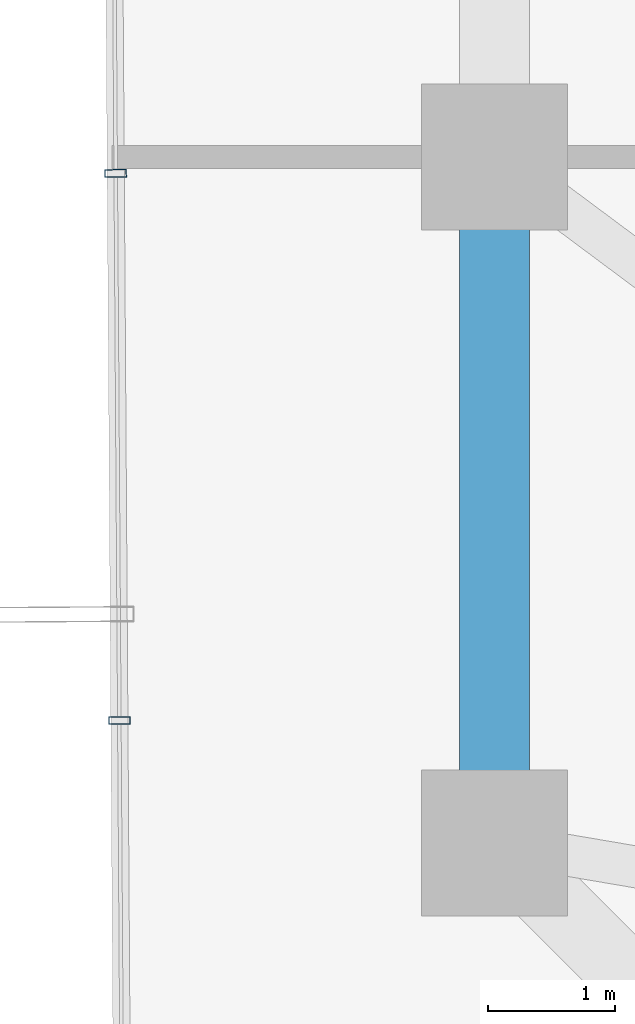
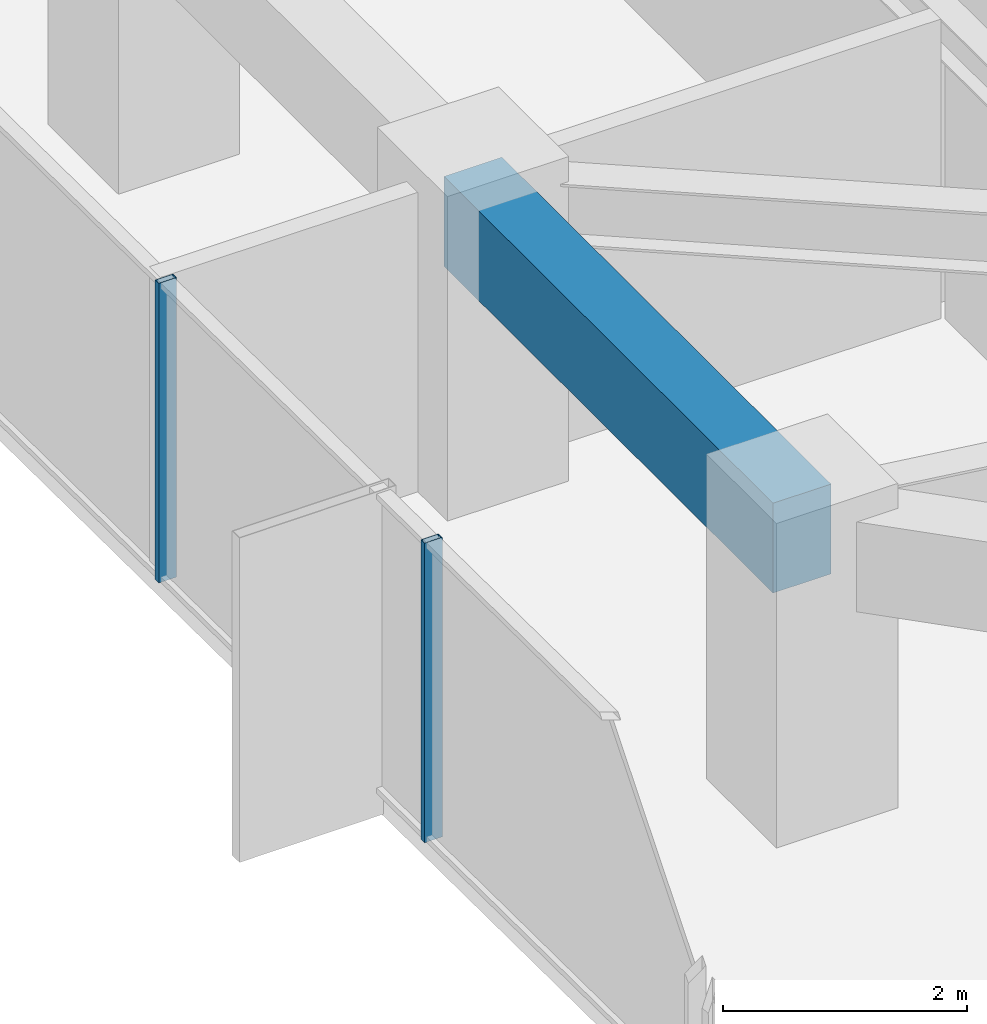
# One storey, part 9 of 30: 2 members, 1 beam, 1 element without a shape of its own.
"""IFC4 building model written with IfcOpenShell, lengths in metres."""

from ifc_helpers import new_model, si_unit, direction, frame, origin, origin_2d, place, context, subcontext, project, spatial, rectangle, hollow_rectangle, extrude, source, transform, mapped, material, layer, layer_set, material_profile, profile_set, type_object, element, aggregate, save


model = new_model("IFC4")

# Units and contexts
model_context = context("Model", 3, precision=1e-05, world=origin(), true_north=direction((0.0, 1.0)))
body_context = subcontext(model_context, "Body", "Model", "MODEL_VIEW")
ifc_project = project(units=[si_unit("LENGTHUNIT", "METRE"), si_unit("AREAUNIT", "SQUARE_METRE"), si_unit("VOLUMEUNIT", "CUBIC_METRE"), si_unit("PLANEANGLEUNIT", "RADIAN"), si_unit("MASSUNIT", "GRAM", prefix="KILO")], contexts=[model_context])

# Site, building, storey
site_placement = place(None, origin())
site = spatial("IfcSite", under=ifc_project, at=site_placement, CompositionType="ELEMENT")
building_placement = place(site_placement, origin())
building = spatial("IfcBuilding", under=site, at=building_placement, Name="Veraguas Prism Commons", CompositionType="ELEMENT")
storey_placement = place(building_placement, frame((0.0, 0.0, 129.5)))
storey = spatial("IfcBuildingStorey", under=building, at=storey_placement, Name="L36", CompositionType="ELEMENT", Elevation=129.5)

# Beam
ifc_material_1 = material(Name="Concrete C50/60", Category="concrete")
ifc_material_profile_1 = material_profile(ifc_material_1, rectangle(XDim=0.550048828125, YDim=0.89990234375, at=origin_2d()), Name="RC550X900")
ifc_profile_set_1 = profile_set([ifc_material_profile_1], Name="Concrete C50/60")
beam_type = type_object("IfcBeamType", Name="Perimeter Spandrel Lower RC 550x900", PredefinedType="SPANDREL", material=ifc_profile_set_1)
beam_placement = place(storey_placement, frame((7.800048828125, 24.0, 2.550048828125), z_axis=(0.0, -1.0, 0.0), x_axis=(1.0, 0.0, 0.0)))
element("IfcBeam", 1, at=beam_placement, inside=storey, type_object=beam_type, Name="Perimeter Spandrel Beam L36-SP08", PredefinedType="SPANDREL", context=body_context, shape_type="SweptSolid", body=[
    extrude(rectangle(XDim=0.550048828125, YDim=0.89990234375, at=origin_2d()), origin(), (0.0, 0.0, 1.0), 5.39990234375),
])

# Curtain wall, members
ifc_material_2 = material(Name="Anodised aluminium EN AW-6063 T6", Category="aluminium")
ifc_layer = layer(ifc_material_2, 0.169921875, Name="Unitised Flush Curtain Wall Zone 2", Category="aluminium")
ifc_layer_set = layer_set([ifc_layer], Name="Anodised aluminium EN AW-6063 T6")
curtain_wall_type = type_object("IfcCurtainWallType", Name="Unitised Flush Curtain Wall Zone 2", PredefinedType="NOTDEFINED", material=ifc_layer_set)
curtain_wall_placement = place(storey_placement, origin())
curtain_wall = element("IfcCurtainWall", 2, at=curtain_wall_placement, inside=storey, type_object=curtain_wall_type, Name="Tower Facade Curtain Wall L36-F3", PredefinedType="NOTDEFINED")
ifc_material_profile_2 = material_profile(ifc_material_2, hollow_rectangle(XDim=0.06005859375, YDim=0.169921875, WallThickness=0.00390625, at=origin_2d()), Name="AL60X170X4")
ifc_profile_set_2 = profile_set([ifc_material_profile_2], Name="Anodised aluminium EN AW-6063 T6")
member_type = type_object("IfcMemberType", Name="Curtain Wall Mullion Lower AL 60x170x4", PredefinedType="MULLION", material=ifc_profile_set_2)
shared_shape = source(origin(), body_context, "Body", "SweptSolid", [
    extrude(hollow_rectangle(XDim=0.06005859375, YDim=0.169921875, WallThickness=0.00390625, at=origin_2d()), origin(), (0.0, 0.0, 1.0), 3.0),
])
member_1_placement = place(storey_placement, frame((4.81787109375, 23.872802734375, 0.0), z_axis=(0.0, 0.0, 1.0), x_axis=(0.006632202536, -0.999978006703, 0.0)))
member_1 = element("IfcMember", 3, at=member_1_placement, type_object=member_type, Name="CW-Z2 Mullion 3", PredefinedType="MULLION", context=body_context, shape_type="MappedRepresentation", body=[
    mapped(shared_shape, transform((0.0, 0.0, 0.0), scale=1.0)),
])
member_2_placement = place(storey_placement, frame((4.846435546875, 19.564208984375, 0.0), z_axis=(0.0, 0.0, 1.0), x_axis=(0.006632202536, -0.999978006703, 0.0)))
member_2 = element("IfcMember", 4, at=member_2_placement, type_object=member_type, Name="CW-Z2 Mullion 4", PredefinedType="MULLION", context=body_context, shape_type="MappedRepresentation", body=[
    mapped(shared_shape, transform((0.0, 0.0, 0.0), scale=1.0)),
])
aggregate(curtain_wall, [member_1, member_2])

save(model, "model.ifc")
